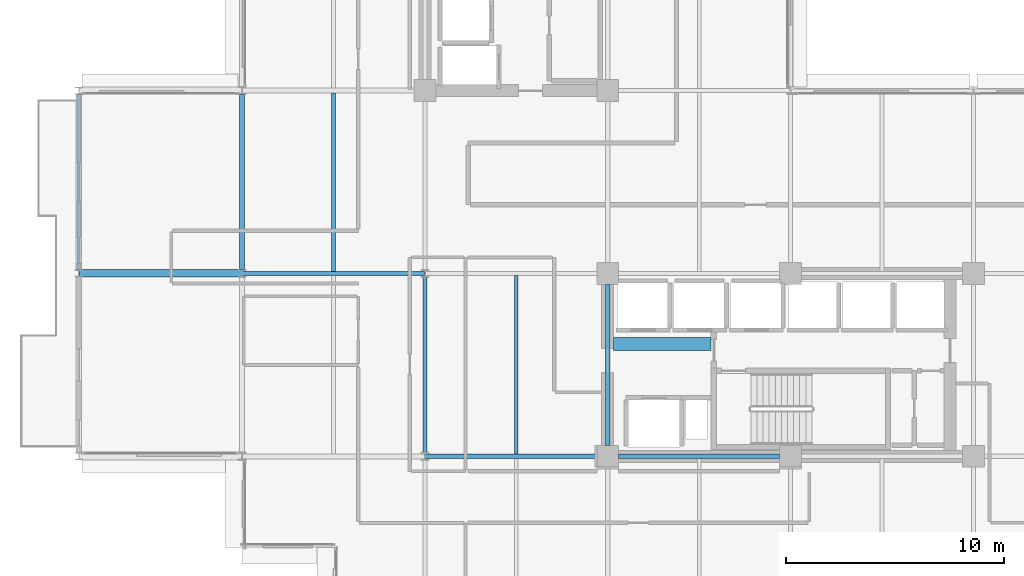
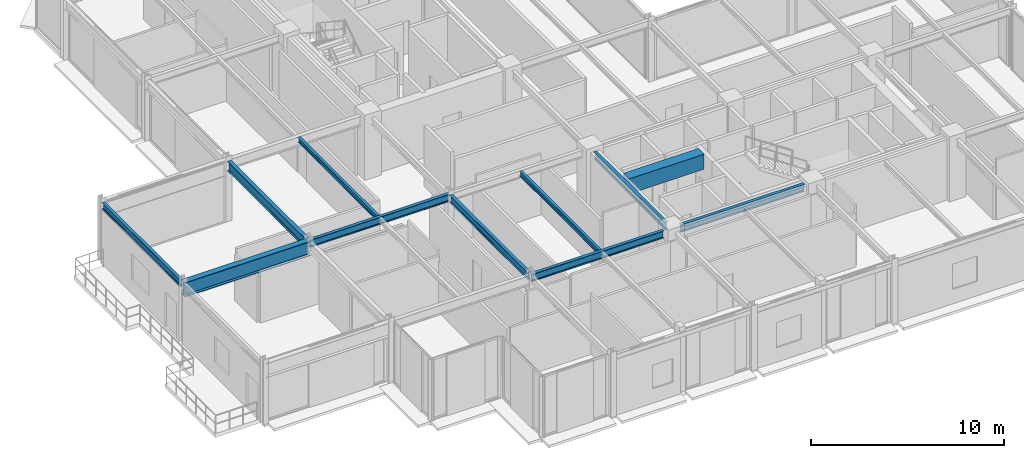
# One storey, part 8 of 29: 11 beams.
"""IFC4 building model written with IfcOpenShell, lengths in metres."""

from ifc_helpers import new_model, si_unit, direction, frame, origin, origin_2d, place, context, subcontext, project, spatial, rectangle, i_section, extrude, material, material_profile, profile_set, type_object, element, save


model = new_model("IFC4")

# Units and contexts
model_context = context("Model", 3, precision=1e-05, world=origin(), true_north=direction((0.0, 1.0)))
body_context = subcontext(model_context, "Body", "Model", "MODEL_VIEW")
ifc_project = project(units=[si_unit("LENGTHUNIT", "METRE"), si_unit("AREAUNIT", "SQUARE_METRE"), si_unit("VOLUMEUNIT", "CUBIC_METRE"), si_unit("PLANEANGLEUNIT", "RADIAN"), si_unit("MASSUNIT", "GRAM", prefix="KILO")], contexts=[model_context])

# Site, building, storey
site_placement = place(None, origin())
site = spatial("IfcSite", under=ifc_project, at=site_placement, CompositionType="ELEMENT")
building_placement = place(site_placement, origin())
building = spatial("IfcBuilding", under=site, at=building_placement, Name="Nerrivon Quay Data Exchange", CompositionType="ELEMENT")
storey_placement = place(building_placement, frame((0.0, 0.0, 179.60009765625)))
storey = spatial("IfcBuildingStorey", under=building, at=storey_placement, Name="L42", CompositionType="ELEMENT", Elevation=179.60009765625)

# Beams
ifc_material_1 = material(Name="Steel Grade 350", Category="steel")
ifc_material_profile_1 = material_profile(ifc_material_1, i_section(OverallWidth=0.35009765625, OverallDepth=0.909912109375, WebThickness=0.011962890625, FlangeThickness=0.02490234375, at=origin_2d()), Name="900WB218")
ifc_profile_set_1 = profile_set([ifc_material_profile_1], Name="Steel Grade 350")
beam_type_1 = type_object("IfcBeamType", Name="BM-CANT-900WB", PredefinedType="USERDEFINED", material=ifc_profile_set_1)
beam_1_placement = place(storey_placement, frame((-0.010009765625, 16.800048828125, 3.369873046875), z_axis=(-1.0, 0.0, 0.0), x_axis=(0.0, -1.0, 0.0)))
element("IfcBeam", 1, at=beam_1_placement, inside=storey, type_object=beam_type_1, Name="L42 West Hooked Cantilever Girder Y=16.8", ObjectType="TRANSFER", PredefinedType="USERDEFINED", context=body_context, shape_type="SweptSolid", body=[
    extrude(i_section(OverallWidth=0.35009765625, OverallDepth=0.909912109375, WebThickness=0.011962890625, FlangeThickness=0.02490234375, at=origin_2d()), origin(), (0.0, 0.0, 1.0), 7.482177734375),
])
ifc_material_2 = material(Name="Concrete N50 (50 MPa)", Category="concrete")
ifc_material_profile_2 = material_profile(ifc_material_2, rectangle(XDim=0.60009765625, YDim=0.949951171875, at=origin_2d()), Name="RC-CB-600x950")
ifc_profile_set_2 = profile_set([ifc_material_profile_2], Name="Concrete N50 (50 MPa)")
beam_type_2 = type_object("IfcBeamType", Name="BM-CB2-600x950", PredefinedType="LINTEL", material=ifc_profile_set_2)
beam_2_placement = place(storey_placement, frame((17.074951171875, 13.550048828125, 3.349853515625), z_axis=(1.0, 0.0, 0.0), x_axis=(0.0, 1.0, 0.0)))
element("IfcBeam", 2, at=beam_2_placement, inside=storey, type_object=beam_type_2, Name="L42 East Core Coupling Beam", PredefinedType="LINTEL", context=body_context, shape_type="SweptSolid", body=[
    extrude(rectangle(XDim=0.60009765625, YDim=0.949951171875, at=origin_2d()), origin(), (0.0, 0.0, 1.0), 4.47998046875),
])
ifc_material_profile_3 = material_profile(ifc_material_1, i_section(OverallWidth=0.22802734375, OverallDepth=0.60205078125, WebThickness=0.010498046875, FlangeThickness=0.014892578125, FilletRadius=0.013916015625, at=origin_2d()), Name="610UB101")
ifc_profile_set_3 = profile_set([ifc_material_profile_3], Name="Steel Grade 350")
beam_type_3 = type_object("IfcBeamType", Name="BM-G2-610UB101", PredefinedType="BEAM", material=ifc_profile_set_3)
beam_3_placement = place(storey_placement, frame((0.0, 16.97509765625, 3.52392578125), z_axis=(0.0, 1.0, 0.0), x_axis=(-1.0, 0.0, 0.0)))
element("IfcBeam", 3, at=beam_3_placement, inside=storey, type_object=beam_type_3, Name="L42 NS Girder X=0.0 (16.8..25.2)", PredefinedType="BEAM", context=body_context, shape_type="SweptSolid", body=[
    extrude(i_section(OverallWidth=0.22802734375, OverallDepth=0.60205078125, WebThickness=0.010498046875, FlangeThickness=0.014892578125, FilletRadius=0.013916015625, at=origin_2d()), origin(), (0.0, 0.0, 1.0), 8.0498046875),
])
ifc_material_profile_4 = material_profile(ifc_material_1, i_section(OverallWidth=0.19091796875, OverallDepth=0.4599609375, WebThickness=0.010009765625, FlangeThickness=0.01611328125, FilletRadius=0.011474609375, at=origin_2d()), Name="460UB82.1")
ifc_profile_set_4 = profile_set([ifc_material_profile_4], Name="Steel Grade 350")
beam_type_4 = type_object("IfcBeamType", Name="BM-G5-460UB82", PredefinedType="BEAM", material=ifc_profile_set_4)
beam_4_placement = place(storey_placement, frame((8.409912109375, 8.39990234375, 3.594970703125), z_axis=(1.0, 0.0, 0.0), x_axis=(0.0, 1.0, 0.0)))
element("IfcBeam", 4, at=beam_4_placement, inside=storey, type_object=beam_type_4, Name="L42 EW Girder Y=8.4 (8.4..16.8)", PredefinedType="BEAM", context=body_context, shape_type="SweptSolid", body=[
    extrude(i_section(OverallWidth=0.19091796875, OverallDepth=0.4599609375, WebThickness=0.010009765625, FlangeThickness=0.01611328125, FilletRadius=0.011474609375, at=origin_2d()), origin(), (0.0, 0.0, 1.0), 7.89013671875),
])
beam_5_placement = place(storey_placement, frame((17.300048828125, 8.39990234375, 3.594970703125), z_axis=(1.0, 0.0, 0.0), x_axis=(0.0, 1.0, 0.0)))
element("IfcBeam", 5, at=beam_5_placement, inside=storey, type_object=beam_type_4, Name="L42 EW Girder Y=8.4 (16.8..25.2)", PredefinedType="BEAM", context=body_context, shape_type="SweptSolid", body=[
    extrude(i_section(OverallWidth=0.19091796875, OverallDepth=0.4599609375, WebThickness=0.010009765625, FlangeThickness=0.01611328125, FilletRadius=0.011474609375, at=origin_2d()), origin(), (0.0, 0.0, 1.0), 7.39990234375),
])
beam_6_placement = place(storey_placement, frame((0.010009765625, 16.800048828125, 3.594970703125), z_axis=(1.0, 0.0, 0.0), x_axis=(0.0, 1.0, 0.0)))
element("IfcBeam", 6, at=beam_6_placement, inside=storey, type_object=beam_type_4, Name="L42 EW Girder Y=16.8 (0.0..8.4)", PredefinedType="BEAM", context=body_context, shape_type="SweptSolid", body=[
    extrude(i_section(OverallWidth=0.19091796875, OverallDepth=0.4599609375, WebThickness=0.010009765625, FlangeThickness=0.01611328125, FilletRadius=0.011474609375, at=origin_2d()), origin(), (0.0, 0.0, 1.0), 8.3798828125),
])
ifc_material_profile_5 = material_profile(ifc_material_1, i_section(OverallWidth=0.18994140625, OverallDepth=0.4541015625, WebThickness=0.008544921875, FlangeThickness=0.0126953125, FilletRadius=0.011474609375, at=origin_2d()), Name="460UB67.1")
ifc_profile_set_5 = profile_set([ifc_material_profile_5], Name="Steel Grade 350")
beam_type_5 = type_object("IfcBeamType", Name="BM-G6-460UB67", PredefinedType="BEAM", material=ifc_profile_set_5)
beam_7_placement = place(storey_placement, frame((8.39990234375, 8.574951171875, 3.597900390625), z_axis=(0.0, 1.0, 0.0), x_axis=(-1.0, 0.0, 0.0)))
element("IfcBeam", 7, at=beam_7_placement, inside=storey, type_object=beam_type_5, Name="L42 NS Girder X=8.4 (8.4..16.8)", PredefinedType="BEAM", context=body_context, shape_type="SweptSolid", body=[
    extrude(i_section(OverallWidth=0.18994140625, OverallDepth=0.4541015625, WebThickness=0.008544921875, FlangeThickness=0.0126953125, FilletRadius=0.011474609375, at=origin_2d()), origin(), (0.0, 0.0, 1.0), 8.050048828125),
])
beam_8_placement = place(storey_placement, frame((16.800048828125, 8.89990234375, 3.597900390625), z_axis=(0.0, 1.0, 0.0), x_axis=(-1.0, 0.0, 0.0)))
element("IfcBeam", 8, at=beam_8_placement, inside=storey, type_object=beam_type_5, Name="L42 NS Girder X=16.8 (8.4..16.8)", PredefinedType="BEAM", context=body_context, shape_type="SweptSolid", body=[
    extrude(i_section(OverallWidth=0.18994140625, OverallDepth=0.4541015625, WebThickness=0.008544921875, FlangeThickness=0.0126953125, FilletRadius=0.011474609375, at=origin_2d()), origin(), (0.0, 0.0, 1.0), 7.400146484375),
])
ifc_material_profile_6 = material_profile(ifc_material_1, i_section(OverallWidth=0.166015625, OverallDepth=0.306884765625, WebThickness=0.006591796875, FlangeThickness=0.01171875, FilletRadius=0.011474609375, at=origin_2d()), Name="310UB46.2")
ifc_profile_set_6 = profile_set([ifc_material_profile_6], Name="Steel Grade 350")
beam_type_6 = type_object("IfcBeamType", Name="BM-J5-310UB46", PredefinedType="JOIST", material=ifc_profile_set_6)
beam_9_placement = place(storey_placement, frame((4.199951171875, 16.8955078125, 3.67138671875), z_axis=(0.0, 1.0, 0.0), x_axis=(-1.0, 0.0, 0.0)))
element("IfcBeam", 9, at=beam_9_placement, inside=storey, type_object=beam_type_6, Name="L42 Secondary Joist X=4.2 (16.8..25.2)", PredefinedType="JOIST", context=body_context, shape_type="SweptSolid", body=[
    extrude(i_section(OverallWidth=0.166015625, OverallDepth=0.306884765625, WebThickness=0.006591796875, FlangeThickness=0.01171875, FilletRadius=0.011474609375, at=origin_2d()), origin(), (0.0, 0.0, 1.0), 8.18994140625),
])
beam_10_placement = place(storey_placement, frame((12.60009765625, 8.49560546875, 3.67138671875), z_axis=(0.0, 1.0, 0.0), x_axis=(-1.0, 0.0, 0.0)))
element("IfcBeam", 10, at=beam_10_placement, inside=storey, type_object=beam_type_6, Name="L42 Secondary Joist X=12.6 (8.4..16.8)", PredefinedType="JOIST", context=body_context, shape_type="SweptSolid", body=[
    extrude(i_section(OverallWidth=0.166015625, OverallDepth=0.306884765625, WebThickness=0.006591796875, FlangeThickness=0.01171875, FilletRadius=0.011474609375, at=origin_2d()), origin(), (0.0, 0.0, 1.0), 8.208984375),
])
ifc_material_profile_7 = material_profile(ifc_material_1, i_section(OverallWidth=0.177978515625, OverallDepth=0.403076171875, WebThickness=0.007568359375, FlangeThickness=0.010986328125, FilletRadius=0.011474609375, at=origin_2d()), Name="410UB53.7")
ifc_profile_set_7 = profile_set([ifc_material_profile_7], Name="Steel Grade 350")
beam_type_7 = type_object("IfcBeamType", Name="BM-SP2-410UB54", PredefinedType="SPANDREL", material=ifc_profile_set_7)
beam_11_placement = place(storey_placement, frame((-7.5, 16.96337890625, 3.623291015625), z_axis=(0.0, 1.0, 0.0), x_axis=(-1.0, 0.0, 0.0)))
element("IfcBeam", 11, at=beam_11_placement, inside=storey, type_object=beam_type_7, Name="L42 West Hooked Edge Spandrel", PredefinedType="SPANDREL", context=body_context, shape_type="SweptSolid", body=[
    extrude(i_section(OverallWidth=0.177978515625, OverallDepth=0.403076171875, WebThickness=0.007568359375, FlangeThickness=0.010986328125, FilletRadius=0.011474609375, at=origin_2d()), origin(), (0.0, 0.0, 1.0), 8.0732421875),
])

save(model, "model.ifc")
